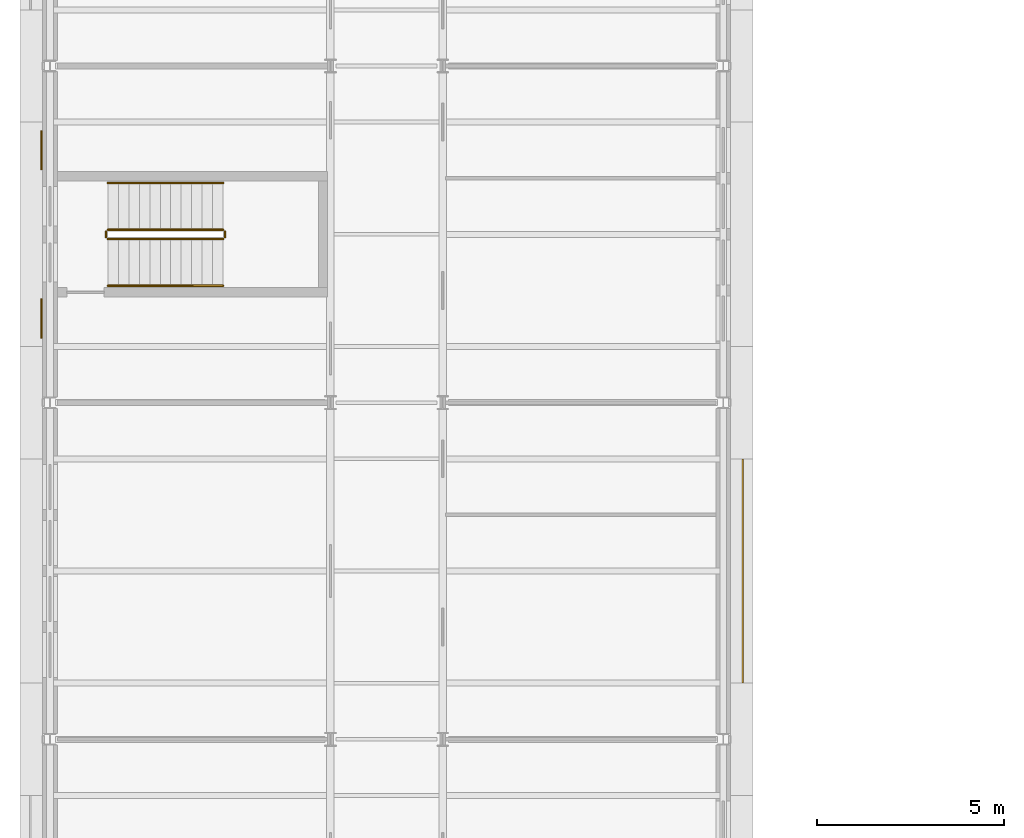
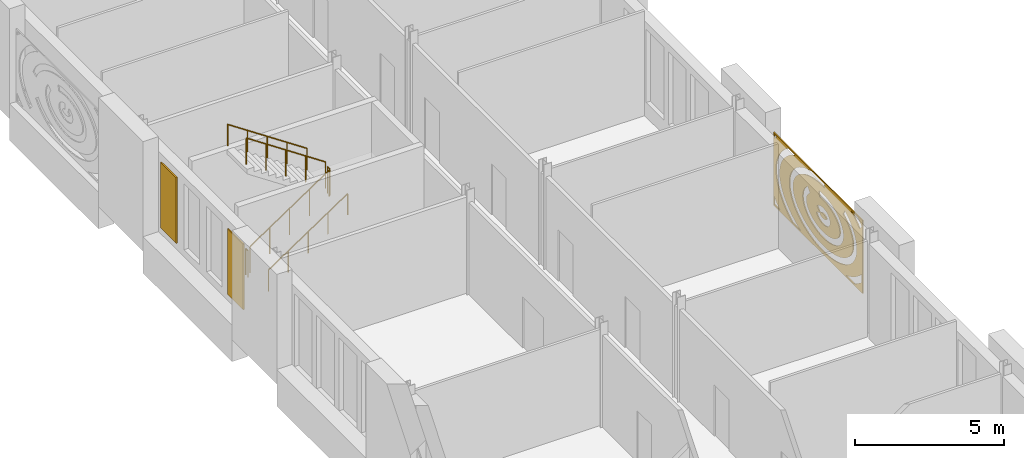
# One storey, part 110 of 134: 6 railings, 3 coverings.
"""IFC4 building model written with IfcOpenShell, lengths in metres."""

from ifc_helpers import new_model, si_unit, direction, frame, origin, origin_2d, place, context, subcontext, project, spatial, polyline, circle, outline, extrude, material, layer, layer_set, type_object, element, save


model = new_model("IFC4")

# Units and contexts
model_context = context("Model", 3, precision=1e-05, world=origin(), true_north=direction((0.0, 1.0)))
body_context = subcontext(model_context, "Body", "Model", "MODEL_VIEW")
ifc_project = project(units=[si_unit("LENGTHUNIT", "METRE"), si_unit("AREAUNIT", "SQUARE_METRE"), si_unit("VOLUMEUNIT", "CUBIC_METRE"), si_unit("PLANEANGLEUNIT", "RADIAN"), si_unit("MASSUNIT", "GRAM", prefix="KILO")], contexts=[model_context])

# Site, building, storey
site_placement = place(None, origin())
site = spatial("IfcSite", under=ifc_project, at=site_placement, CompositionType="ELEMENT")
building_placement = place(site_placement, origin())
building = spatial("IfcBuilding", under=site, at=building_placement, Name="Golden Quay Civic Hall", CompositionType="ELEMENT")
storey_placement = place(building_placement, frame((0.0, 0.0, 5.39990234375)))
storey = spatial("IfcBuildingStorey", under=building, at=storey_placement, Name="L01", CompositionType="ELEMENT", Elevation=5.39990234375)

# Covering
ifc_material_1 = material(Name="Aluminium, golden anodised, perforated", Category="aluminium")
ifc_layer_1 = layer(ifc_material_1, 0.0400390625)
ifc_layer_set_1 = layer_set([ifc_layer_1], Name="Perforated screen panel 6000 x 3000 x 40")
covering_type_1 = type_object("IfcCoveringType", Name="Perforated screen panel 6000 x 3000 x 40", PredefinedType="CLADDING", material=ifc_layer_set_1)
covering_1_placement = place(storey_placement, frame((18.5, 22.5, 2.10009765625), z_axis=(1.0, 0.0, 0.0), x_axis=(0.0, 1.0, 0.0)))
element("IfcCovering", 1, at=covering_1_placement, inside=storey, type_object=covering_type_1, Name="Perforated screen panel 6000 x 3000 x 40 L01 5", PredefinedType="CLADDING", context=body_context, shape_type="SweptSolid", body=[
    extrude(outline(polyline([(-3.0, -1.5), (3.0, -1.5), (3.0, 1.5), (-3.0, 1.5), (-3.0, -1.5)]), holes=[polyline([(-0.144775390625, 0.115478515625), (-0.1865234375, 0.142333984375), (-0.247802734375, 0.164306640625), (-0.3212890625, 0.175537109375), (-0.372802734375, 0.17578125), (-0.447021484375, 0.16552734375), (-0.509521484375, 0.144287109375), (-0.552978515625, 0.117431640625), (-0.5693359375, 0.100830078125), (-0.576904296875, 0.0888671875), (-0.5791015625, 0.077392578125), (-0.5732421875, 0.064208984375), (-0.560302734375, 0.04931640625), (-0.53759765625, 0.031494140625), (-0.485595703125, 0.006103515625), (-0.417236328125, -0.01123046875), (-0.36669921875, -0.01611328125), (-0.3154296875, -0.01513671875), (-0.265869140625, -0.00830078125), (-0.220703125, 0.00390625), (-0.1826171875, 0.019775390625), (-0.1533203125, 0.03759765625), (-0.128173828125, 0.062255859375), (-0.11865234375, 0.080810546875), (0.100830078125, -0.0185546875), (0.07275390625, -0.07080078125), (0.041015625, -0.110595703125), (-0.0048828125, -0.152099609375), (-0.04443359375, -0.178955078125), (-0.103271484375, -0.208984375), (-0.176513671875, -0.234619140625), (-0.221923828125, -0.2451171875), (-0.300048828125, -0.255615234375), (-0.372314453125, -0.257080078125), (-0.412109375, -0.254638671875), (-0.4970703125, -0.2412109375), (-0.56396484375, -0.221923828125), (-0.599365234375, -0.2080078125), (-0.6650390625, -0.173095703125), (-0.7041015625, -0.14501953125), (-0.73193359375, -0.1201171875), (-0.757080078125, -0.092041015625), (-0.779052734375, -0.061279296875), (-0.796875, -0.027587890625), (-0.81005859375, 0.00830078125), (-0.81982421875, 0.06640625), (-0.816650390625, 0.122802734375), (-0.8076171875, 0.159423828125), (-0.793701171875, 0.194091796875), (-0.775634765625, 0.226318359375), (-0.75390625, 0.255859375), (-0.701904296875, 0.306884765625), (-0.640869140625, 0.347412109375), (-0.572509765625, 0.37890625), (-0.498779296875, 0.40087890625), (-0.46044921875, 0.408447265625), (-0.388916015625, 0.416259765625), (-0.309326171875, 0.416259765625), (-0.2626953125, 0.411865234375), (-0.185302734375, 0.39697265625), (-0.11962890625, 0.375732421875), (-0.076904296875, 0.356689453125), (-0.020751953125, 0.32373046875), (0.01708984375, 0.2939453125), (0.05908203125, 0.24951171875), (-0.124755859375, 0.093994140625), (-0.144775390625, 0.115478515625)]), polyline([(-0.282470703125, 0.7333984375), (-0.37158203125, 0.734375), (-0.460693359375, 0.731201171875), (-0.549072265625, 0.72412109375), (-0.635986328125, 0.712646484375), (-0.721435546875, 0.697021484375), (-0.80419921875, 0.677734375), (-0.884033203125, 0.65478515625), (-0.96044921875, 0.628173828125), (-1.032958984375, 0.59814453125), (-1.10107421875, 0.565185546875), (-1.164306640625, 0.529296875), (-1.222412109375, 0.4912109375), (-1.274658203125, 0.45068359375), (-1.3212890625, 0.408935546875), (-1.36181640625, 0.36572265625), (-1.396240234375, 0.32177734375), (-1.424560546875, 0.277099609375), (-1.44677734375, 0.232421875), (-1.463134765625, 0.18798828125), (-1.4736328125, 0.1435546875), (-1.478759765625, 0.099609375), (-1.478515625, 0.055419921875), (-1.47265625, 0.010986328125), (-1.46142578125, -0.033203125), (-1.4443359375, -0.077880859375), (-1.42138671875, -0.122314453125), (-1.392578125, -0.1669921875), (-1.357421875, -0.210693359375), (-1.316162109375, -0.25390625), (-1.268798828125, -0.295654296875), (-1.2158203125, -0.335693359375), (-1.156982421875, -0.373779296875), (-1.09326171875, -0.4091796875), (-1.024658203125, -0.44189453125), (-0.95166015625, -0.471435546875), (-0.874755859375, -0.49755859375), (-0.79443359375, -0.520263671875), (-0.71142578125, -0.539306640625), (-0.6259765625, -0.55419921875), (-0.538818359375, -0.565185546875), (-0.4501953125, -0.572021484375), (-0.361083984375, -0.574462890625), (-0.27197265625, -0.572998046875), (-0.18310546875, -0.567138671875), (-0.095703125, -0.55712890625), (-0.009521484375, -0.543212890625), (0.07421875, -0.525390625), (0.1552734375, -0.503662109375), (0.23291015625, -0.478271484375), (0.306884765625, -0.449462890625), (0.376708984375, -0.41748046875), (0.441650390625, -0.3828125), (0.501708984375, -0.345458984375), (0.55615234375, -0.305908203125), (0.60498046875, -0.264404296875), (0.647705078125, -0.2216796875), (0.684326171875, -0.177978515625), (0.71484375, -0.133544921875), (0.7392578125, -0.0888671875), (0.7578125, -0.044189453125), (0.7705078125, 0.0), (0.777587890625, 0.04443359375), (0.779296875, 0.08837890625), (0.775390625, 0.132568359375), (0.76611328125, 0.177001953125), (0.75146484375, 0.221435546875), (0.730712890625, 0.26611328125), (0.703857421875, 0.310546875), (0.6708984375, 0.354736328125), (0.632080078125, 0.398193359375), (0.5869140625, 0.4404296875), (0.532470703125, 0.48388671875), (0.6826171875, 0.67236328125), (0.740966796875, 0.625732421875), (0.800537109375, 0.570556640625), (0.85400390625, 0.51171875), (0.900634765625, 0.44970703125), (0.9404296875, 0.384521484375), (0.97265625, 0.31689453125), (0.996826171875, 0.24658203125), (1.0126953125, 0.1748046875), (1.02001953125, 0.1015625), (1.01806640625, 0.028076171875), (1.007080078125, -0.045166015625), (0.987548828125, -0.1171875), (0.95947265625, -0.18701171875), (0.92333984375, -0.25439453125), (0.879638671875, -0.319091796875), (0.8291015625, -0.38037109375), (0.7646484375, -0.44482421875), (0.701416015625, -0.498046875), (0.639892578125, -0.542724609375), (0.558837890625, -0.59326171875), (0.48046875, -0.635009765625), (0.3974609375, -0.672607421875), (0.310791015625, -0.706298828125), (0.226806640625, -0.733642578125), (0.127685546875, -0.76025390625), (0.031982421875, -0.780517578125), (-0.065673828125, -0.79638671875), (-0.164794921875, -0.807373046875), (-0.264892578125, -0.813720703125), (-0.359619140625, -0.8154296875), (-0.460205078125, -0.8125), (-0.56005859375, -0.804931640625), (-0.65869140625, -0.792724609375), (-0.76171875, -0.77490234375), (-0.850830078125, -0.75439453125), (-0.943359375, -0.728515625), (-1.03271484375, -0.6982421875), (-1.118408203125, -0.663818359375), (-1.20703125, -0.62158203125), (-1.277587890625, -0.582275390625), (-1.350341796875, -0.53564453125), (-1.4248046875, -0.479248046875), (-1.4794921875, -0.43115234375), (-1.53515625, -0.37353515625), (-1.584228515625, -0.312744140625), (-1.626708984375, -0.248779296875), (-1.661865234375, -0.181884765625), (-1.68896484375, -0.112548828125), (-1.7080078125, -0.041259765625), (-1.71826171875, 0.031494140625), (-1.718994140625, 0.119873046875), (-1.709716796875, 0.192626953125), (-1.69580078125, 0.2509765625), (-1.670654296875, 0.32177734375), (-1.637451171875, 0.39013671875), (-1.596435546875, 0.455810546875), (-1.54833984375, 0.518310546875), (-1.493408203125, 0.577392578125), (-1.432373046875, 0.633056640625), (-1.3583984375, 0.68994140625), (-1.28662109375, 0.737060546875), (-1.209716796875, 0.7802734375), (-1.12841796875, 0.8193359375), (-1.04296875, 0.8544921875), (-0.9541015625, 0.88525390625), (-0.862060546875, 0.91162109375), (-0.767333984375, 0.93359375), (-0.67041015625, 0.951171875), (-0.57177734375, 0.9638671875), (-0.477783203125, 0.9716796875), (-0.377197265625, 0.97509765625), (-0.276611328125, 0.97412109375), (-0.176513671875, 0.96826171875), (-0.077392578125, 0.957763671875), (-0.10302734375, 0.71826171875), (-0.193603515625, 0.72802734375), (-0.282470703125, 0.7333984375)]), polyline([(-1.88671875, 0.86767578125), (-1.96875, 0.806640625), (-2.043701171875, 0.7431640625), (-2.111572265625, 0.67724609375), (-2.171875, 0.609619140625), (-2.224609375, 0.540283203125), (-2.269287109375, 0.469482421875), (-2.306640625, 0.398193359375), (-2.336181640625, 0.326171875), (-2.35791015625, 0.25390625), (-2.3720703125, 0.18115234375), (-2.37890625, 0.1083984375), (-2.3779296875, 0.03564453125), (-2.36962890625, -0.037109375), (-2.353759765625, -0.109619140625), (-2.330322265625, -0.181884765625), (-2.29931640625, -0.25390625), (-2.26025390625, -0.3251953125), (-2.213623046875, -0.3955078125), (-2.1591796875, -0.46435546875), (-2.097412109375, -0.53173828125), (-2.028076171875, -0.59716796875), (-1.951416015625, -0.66015625), (-1.8681640625, -0.720458984375), (-1.778076171875, -0.777587890625), (-1.681884765625, -0.831298828125), (-1.579833984375, -0.88134765625), (-1.472412109375, -0.927490234375), (-1.3603515625, -0.969482421875), (-1.24365234375, -1.007080078125), (-1.123046875, -1.039794921875), (-0.999267578125, -1.06787109375), (-0.872314453125, -1.091064453125), (-0.743408203125, -1.109130859375), (-0.61279296875, -1.122314453125), (-0.480712890625, -1.1298828125), (-0.348388671875, -1.132568359375), (-0.2158203125, -1.1298828125), (-0.083984375, -1.121826171875), (0.046630859375, -1.10888671875), (0.175537109375, -1.090576171875), (0.30224609375, -1.0673828125), (0.426025390625, -1.0390625), (0.546630859375, -1.006103515625), (0.6630859375, -0.968505859375), (0.775390625, -0.926513671875), (0.882568359375, -0.880126953125), (0.984375, -0.830078125), (1.080322265625, -0.776123046875), (1.17041015625, -0.718994140625), (1.25341796875, -0.65869140625), (1.329833984375, -0.595703125), (1.39892578125, -0.5302734375), (1.460693359375, -0.462646484375), (1.514892578125, -0.393798828125), (1.561279296875, -0.3232421875), (1.60009765625, -0.251953125), (1.631103515625, -0.18017578125), (1.654296875, -0.107666015625), (1.669921875, -0.03515625), (1.677978515625, 0.03759765625), (1.6787109375, 0.1103515625), (1.671875, 0.18310546875), (1.657470703125, 0.255615234375), (1.635498046875, 0.327880859375), (1.605712890625, 0.39990234375), (1.568359375, 0.471435546875), (1.523193359375, 0.5419921875), (1.470458984375, 0.611083984375), (1.409912109375, 0.678955078125), (1.342041015625, 0.744873046875), (1.266845703125, 0.80810546875), (1.184814453125, 0.869140625), (1.095947265625, 0.9267578125), (1.0009765625, 0.981201171875), (0.89990234375, 1.031982421875), (0.793701171875, 1.0791015625), (0.682373046875, 1.12158203125), (0.56640625, 1.16015625), (0.446533203125, 1.19384765625), (0.3232421875, 1.222900390625), (0.197021484375, 1.2470703125), (0.068359375, 1.26611328125), (-0.06201171875, 1.280029296875), (-0.19384765625, 1.288818359375), (-0.326171875, 1.29248046875), (-0.4609375, 1.290771484375), (-0.462890625, 1.43994140625), (0.452392578125, 1.43994140625), (0.639404296875, 1.3896484375), (0.765869140625, 1.34765625), (0.88818359375, 1.300537109375), (1.0, 1.251220703125), (1.112060546875, 1.195068359375), (1.21875, 1.13427734375), (1.319091796875, 1.069091796875), (1.413330078125, 0.99951171875), (1.50048828125, 0.92626953125), (1.580810546875, 0.84912109375), (1.6533203125, 0.768310546875), (1.7177734375, 0.68408203125), (1.774169921875, 0.596923828125), (1.826416015625, 0.496826171875), (1.8603515625, 0.414306640625), (1.8896484375, 0.31982421875), (1.909423828125, 0.223876953125), (1.919189453125, 0.126708984375), (1.918212890625, 0.016845703125), (1.90673828125, -0.080078125), (1.885498046875, -0.17578125), (1.8544921875, -0.27001953125), (1.819091796875, -0.352294921875), (1.765380859375, -0.45166015625), (1.70751953125, -0.538330078125), (1.6416015625, -0.6220703125), (1.567626953125, -0.7021484375), (1.492431640625, -0.7734375), (1.39794921875, -0.8515625), (1.302734375, -0.920166015625), (1.201171875, -0.984619140625), (1.09375, -1.044921875), (0.980712890625, -1.100341796875), (0.862548828125, -1.15087890625), (0.73974609375, -1.197021484375), (0.61279296875, -1.23779296875), (0.482177734375, -1.2734375), (0.348388671875, -1.3037109375), (0.216796875, -1.327880859375), (0.072998046875, -1.348388671875), (-0.067138671875, -1.3623046875), (-0.20849609375, -1.37060546875), (-0.3505859375, -1.373291015625), (-0.49267578125, -1.37060546875), (-0.634033203125, -1.362060546875), (-0.7744140625, -1.34814453125), (-0.908447265625, -1.329345703125), (-1.044921875, -1.304443359375), (-1.178955078125, -1.274169921875), (-1.3095703125, -1.23876953125), (-1.4365234375, -1.197998046875), (-1.5595703125, -1.152099609375), (-1.677734375, -1.1015625), (-1.791015625, -1.046142578125), (-1.898681640625, -0.986083984375), (-2.000244140625, -0.921875), (-2.095703125, -0.853271484375), (-2.184326171875, -0.780517578125), (-2.265869140625, -0.7041015625), (-2.33984375, -0.6240234375), (-2.41162109375, -0.53271484375), (-2.4638671875, -0.453857421875), (-2.51318359375, -0.364501953125), (-2.5537109375, -0.2724609375), (-2.584716796875, -0.17822265625), (-2.6083984375, -0.0703125), (-2.618896484375, 0.02685546875), (-2.619384765625, 0.124267578125), (-2.609619140625, 0.221435546875), (-2.59033203125, 0.3173828125), (-2.561279296875, 0.412109375), (-2.522705078125, 0.504638671875), (-2.475341796875, 0.5947265625), (-2.425048828125, 0.673828125), (-2.35498046875, 0.76611328125), (-2.282470703125, 0.846923828125), (-2.20263671875, 0.92431640625), (-2.115478515625, 0.997802734375), (-2.021484375, 1.0673828125), (-1.921142578125, 1.132568359375), (-1.820556640625, 1.1904296875), (-1.700439453125, 0.981689453125), (-1.798095703125, 0.92529296875), (-1.88671875, 0.86767578125)]), polyline([(-2.93994140625, -0.741455078125), (-2.840576171875, -0.847412109375), (-2.751953125, -0.928955078125), (-2.65576171875, -1.0078125), (-2.55224609375, -1.08349609375), (-2.441650390625, -1.155517578125), (-2.32470703125, -1.224365234375), (-2.201171875, -1.2890625), (-2.072021484375, -1.349609375), (-1.937255859375, -1.40576171875), (-1.84423828125, -1.43994140625), (-2.431884765625, -1.43994140625), (-2.571044921875, -1.35888671875), (-2.686767578125, -1.283203125), (-2.800537109375, -1.2001953125), (-2.93994140625, -1.083251953125), (-2.93994140625, -0.741455078125)]), polyline([(1.144775390625, -1.43994140625), (1.307373046875, -1.377197265625), (1.439208984375, -1.31884765625), (1.565673828125, -1.256103515625), (1.685791015625, -1.189453125), (1.799560546875, -1.118896484375), (1.906494140625, -1.044921875), (2.00634765625, -0.967529296875), (2.0986328125, -0.88720703125), (2.183349609375, -0.804443359375), (2.260009765625, -0.71923828125), (2.328857421875, -0.632080078125), (2.389404296875, -0.543212890625), (2.441650390625, -0.452880859375), (2.4853515625, -0.361572265625), (2.52099609375, -0.26953125), (2.5478515625, -0.1767578125), (2.566650390625, -0.08349609375), (2.5771484375, 0.009765625), (2.5791015625, 0.103271484375), (2.572998046875, 0.19677734375), (2.558349609375, 0.2900390625), (2.535400390625, 0.3828125), (2.50439453125, 0.475341796875), (2.464599609375, 0.567138671875), (2.416748046875, 0.657958984375), (2.3603515625, 0.74755859375), (2.295654296875, 0.835693359375), (2.222900390625, 0.921875), (2.14208984375, 1.005859375), (2.0537109375, 1.08740234375), (1.95751953125, 1.166259765625), (1.854248046875, 1.241943359375), (1.743896484375, 1.314208984375), (1.626953125, 1.383056640625), (1.518310546875, 1.43994140625), (1.991455078125, 1.43994140625), (2.10791015625, 1.3544921875), (2.21435546875, 1.266845703125), (2.3134765625, 1.17529296875), (2.404541015625, 1.080078125), (2.487548828125, 0.9814453125), (2.56201171875, 0.87939453125), (2.62744140625, 0.7744140625), (2.683837890625, 0.6669921875), (2.73095703125, 0.55712890625), (2.768310546875, 0.4453125), (2.795654296875, 0.332275390625), (2.81298828125, 0.218017578125), (2.820068359375, 0.103271484375), (2.817138671875, -0.01171875), (2.803955078125, -0.1259765625), (2.780517578125, -0.239501953125), (2.74755859375, -0.351318359375), (2.70458984375, -0.461669921875), (2.65234375, -0.569580078125), (2.5908203125, -0.675048828125), (2.525634765625, -0.77099609375), (2.441650390625, -0.877685546875), (2.3544921875, -0.973876953125), (2.25927734375, -1.06689453125), (2.156494140625, -1.15576171875), (2.051513671875, -1.2373046875), (1.92919921875, -1.322021484375), (1.810302734375, -1.3955078125), (1.730712890625, -1.43994140625), (1.144775390625, -1.43994140625)]), polyline([(-2.217529296875, 1.43994140625), (-2.383544921875, 1.3505859375), (-2.49755859375, 1.2802734375), (-2.6044921875, 1.206298828125), (-2.70458984375, 1.12890625), (-2.7998046875, 1.04638671875), (-2.93994140625, 1.208251953125), (-2.93994140625, 1.24365234375), (-2.8544921875, 1.3173828125), (-2.749267578125, 1.398681640625), (-2.68994140625, 1.43994140625), (-2.217529296875, 1.43994140625)]), polyline([(2.615966796875, -1.388671875), (2.72998046875, -1.299072265625), (2.8369140625, -1.20654296875), (2.93994140625, -1.106689453125), (2.93994140625, -1.43603515625), (2.935302734375, -1.43994140625), (2.543701171875, -1.43994140625), (2.615966796875, -1.388671875)]), polyline([(2.899169921875, 1.3076171875), (2.797119140625, 1.402099609375), (2.751708984375, 1.43994140625), (2.93994140625, 1.43994140625), (2.93994140625, 1.265625), (2.899169921875, 1.3076171875)])]), origin(), (0.0, 0.0, 1.0), 0.0400390625),
])

# Railings
ifc_material_2 = material(Name="Steel S355", Category="steel")
railing_type_1 = type_object("IfcRailingType", Name="Steel guard 1100", PredefinedType="GUARDRAIL", material=ifc_material_2)
railing_1_placement = place(storey_placement, frame((1.550048828125, 31.375, 0.1875)))
element("IfcRailing", 2, at=railing_1_placement, inside=storey, type_object=railing_type_1, Name="L01 WO-M stair guard 1", PredefinedType="GUARDRAIL", context=body_context, shape_type="SweptSolid", body=[
    extrude(circle(Radius=0.02392578125, at=origin_2d()), frame((0.0, 0.0, 1.076171875), z_axis=(0.830893310487, 0.0, 0.556431762742), x_axis=(0.0, 1.0, 0.0)), (0.0, 0.0, 1.0), 3.70654296875),
    extrude(circle(Radius=0.02099609375, at=origin_2d()), origin(), (0.0, 0.0, 1.0), 1.052001953125),
    extrude(circle(Radius=0.02099609375, at=origin_2d()), frame((0.77001953125, 0.0, 0.515625)), (0.0, 0.0, 1.0), 1.052001953125),
    extrude(circle(Radius=0.02099609375, at=origin_2d()), frame((1.5400390625, 0.0, 1.03125)), (0.0, 0.0, 1.0), 1.052001953125),
    extrude(circle(Radius=0.02099609375, at=origin_2d()), frame((2.309814453125, 0.0, 1.546875)), (0.0, 0.0, 1.0), 1.052001953125),
    extrude(circle(Radius=0.02099609375, at=origin_2d()), frame((3.079833984375, 0.0, 2.0625)), (0.0, 0.0, 1.0), 1.052001953125),
])
railing_2_placement = place(storey_placement, frame((4.679931640625, 31.425048828125, 2.25)))
element("IfcRailing", 3, at=railing_2_placement, inside=storey, type_object=railing_type_1, Name="L01 WO-M stair guard 2", PredefinedType="GUARDRAIL", context=body_context, shape_type="SweptSolid", body=[
    extrude(circle(Radius=0.02392578125, at=origin_2d()), frame((0.0, 0.0, 1.076171875), z_axis=(0.0, 1.0, 0.0), x_axis=(-1.0, 0.0, 0.0)), (0.0, 0.0, 1.0), 0.14990234375),
    extrude(circle(Radius=0.02099609375, at=origin_2d()), origin(), (0.0, 0.0, 1.0), 1.052001953125),
    extrude(circle(Radius=0.02099609375, at=origin_2d()), frame((0.0, 0.14990234375, 0.0)), (0.0, 0.0, 1.0), 1.052001953125),
])
railing_3_placement = place(storey_placement, frame((4.6298828125, 31.625, 2.4375)))
element("IfcRailing", 4, at=railing_3_placement, inside=storey, type_object=railing_type_1, Name="L01 WO-M stair guard 3", PredefinedType="GUARDRAIL", context=body_context, shape_type="SweptSolid", body=[
    extrude(circle(Radius=0.02392578125, at=origin_2d()), frame((0.0, 0.0, 1.076171875), z_axis=(-0.830893310487, 0.0, 0.556431762742), x_axis=(0.0, -1.0, 0.0)), (0.0, 0.0, 1.0), 3.70654296875),
    extrude(circle(Radius=0.02099609375, at=origin_2d()), origin(), (0.0, 0.0, 1.0), 1.052001953125),
    extrude(circle(Radius=0.02099609375, at=origin_2d()), frame((-0.77001953125, 0.0, 0.515625)), (0.0, 0.0, 1.0), 1.052001953125),
    extrude(circle(Radius=0.02099609375, at=origin_2d()), frame((-1.5400390625, 0.0, 1.03125)), (0.0, 0.0, 1.0), 1.052001953125),
    extrude(circle(Radius=0.02099609375, at=origin_2d()), frame((-2.309814453125, 0.0, 1.546875)), (0.0, 0.0, 1.0), 1.052001953125),
    extrude(circle(Radius=0.02099609375, at=origin_2d()), frame((-3.079833984375, 0.0, 2.0625)), (0.0, 0.0, 1.0), 1.052001953125),
])
railing_4_placement = place(storey_placement, frame((1.5, 31.425048828125, 0.0)))
element("IfcRailing", 5, at=railing_4_placement, inside=storey, type_object=railing_type_1, Name="L01 WO-M stair guard 4", PredefinedType="GUARDRAIL", context=body_context, shape_type="SweptSolid", body=[
    extrude(circle(Radius=0.02392578125, at=origin_2d()), frame((0.0, 0.0, 1.076171875), z_axis=(0.0, 1.0, 0.0), x_axis=(-1.0, 0.0, 0.0)), (0.0, 0.0, 1.0), 0.14990234375),
    extrude(circle(Radius=0.02099609375, at=origin_2d()), origin(), (0.0, 0.0, 1.0), 1.052001953125),
    extrude(circle(Radius=0.02099609375, at=origin_2d()), frame((0.0, 0.14990234375, 0.0)), (0.0, 0.0, 1.0), 1.052001953125),
])
ifc_material_3 = material(Name="Steel S355", Category="steel")
railing_type_2 = type_object("IfcRailingType", Name="Steel handrail 900", PredefinedType="HANDRAIL", material=ifc_material_3)
railing_5_placement = place(storey_placement, frame((1.550048828125, 30.125, 0.1875)))
element("IfcRailing", 6, at=railing_5_placement, inside=storey, type_object=railing_type_2, Name="L01 WO-M stair handrail 1", PredefinedType="HANDRAIL", context=body_context, shape_type="SweptSolid", body=[
    extrude(circle(Radius=0.02392578125, at=origin_2d()), frame((0.0, 0.0, 0.8759765625), z_axis=(0.830893310487, 0.0, 0.556431762742), x_axis=(0.0, 1.0, 0.0)), (0.0, 0.0, 1.0), 3.70654296875),
    extrude(circle(Radius=0.02099609375, at=origin_2d()), origin(), (0.0, 0.0, 1.0), 0.851806640625),
    extrude(circle(Radius=0.02099609375, at=origin_2d()), frame((0.77001953125, 0.0, 0.515625)), (0.0, 0.0, 1.0), 0.851806640625),
    extrude(circle(Radius=0.02099609375, at=origin_2d()), frame((1.5400390625, 0.0, 1.03125)), (0.0, 0.0, 1.0), 0.851806640625),
    extrude(circle(Radius=0.02099609375, at=origin_2d()), frame((2.309814453125, 0.0, 1.546875)), (0.0, 0.0, 1.0), 0.851806640625),
    extrude(circle(Radius=0.02099609375, at=origin_2d()), frame((3.079833984375, 0.0, 2.0625)), (0.0, 0.0, 1.0), 0.851806640625),
])
railing_6_placement = place(storey_placement, frame((4.6298828125, 32.875, 2.4375)))
element("IfcRailing", 7, at=railing_6_placement, inside=storey, type_object=railing_type_2, Name="L01 WO-M stair handrail 2", PredefinedType="HANDRAIL", context=body_context, shape_type="SweptSolid", body=[
    extrude(circle(Radius=0.02392578125, at=origin_2d()), frame((0.0, 0.0, 0.8759765625), z_axis=(-0.830893310487, 0.0, 0.556431762742), x_axis=(0.0, -1.0, 0.0)), (0.0, 0.0, 1.0), 3.70654296875),
    extrude(circle(Radius=0.02099609375, at=origin_2d()), origin(), (0.0, 0.0, 1.0), 0.851806640625),
    extrude(circle(Radius=0.02099609375, at=origin_2d()), frame((-0.77001953125, 0.0, 0.515625)), (0.0, 0.0, 1.0), 0.851806640625),
    extrude(circle(Radius=0.02099609375, at=origin_2d()), frame((-1.5400390625, 0.0, 1.03125)), (0.0, 0.0, 1.0), 0.851806640625),
    extrude(circle(Radius=0.02099609375, at=origin_2d()), frame((-2.309814453125, 0.0, 1.546875)), (0.0, 0.0, 1.0), 0.851806640625),
    extrude(circle(Radius=0.02099609375, at=origin_2d()), frame((-3.079833984375, 0.0, 2.0625)), (0.0, 0.0, 1.0), 0.851806640625),
])

# Coverings
ifc_material_4 = material(Name="Terracotta cladding, golden glaze", Category="masonry")
ifc_layer_2 = layer(ifc_material_4, 0.050048828125)
ifc_layer_set_2 = layer_set([ifc_layer_2], Name="Terracotta solid panel 1050 x 2700 x 50")
covering_type_2 = type_object("IfcCoveringType", Name="Terracotta solid panel 1050 x 2700 x 50", PredefinedType="CLADDING", material=ifc_layer_set_2)
covering_2_placement = place(storey_placement, frame((0.0, 0.0, 0.900146484375)))
element("IfcCovering", 8, at=covering_2_placement, inside=storey, type_object=covering_type_2, Name="Terracotta solid panel 1050 x 2700 x 50 L01 2", PredefinedType="CLADDING", context=body_context, shape_type="SweptSolid", body=[
    extrude(outline(polyline([(-0.199951171875, 28.72509765625), (-0.199951171875, 29.77490234375), (-0.25, 29.77490234375), (-0.25, 28.72509765625), (-0.199951171875, 28.72509765625)])), origin(), (0.0, 0.0, 1.0), 2.699951171875),
])
covering_3_placement = place(storey_placement, frame((0.0, 0.0, 0.900146484375)))
element("IfcCovering", 9, at=covering_3_placement, inside=storey, type_object=covering_type_2, Name="Terracotta solid panel 1050 x 2700 x 50 L01 3", PredefinedType="CLADDING", context=body_context, shape_type="SweptSolid", body=[
    extrude(outline(polyline([(-0.199951171875, 33.22509765625), (-0.199951171875, 34.27490234375), (-0.25, 34.27490234375), (-0.25, 33.22509765625), (-0.199951171875, 33.22509765625)])), origin(), (0.0, 0.0, 1.0), 2.699951171875),
])

save(model, "model.ifc")
